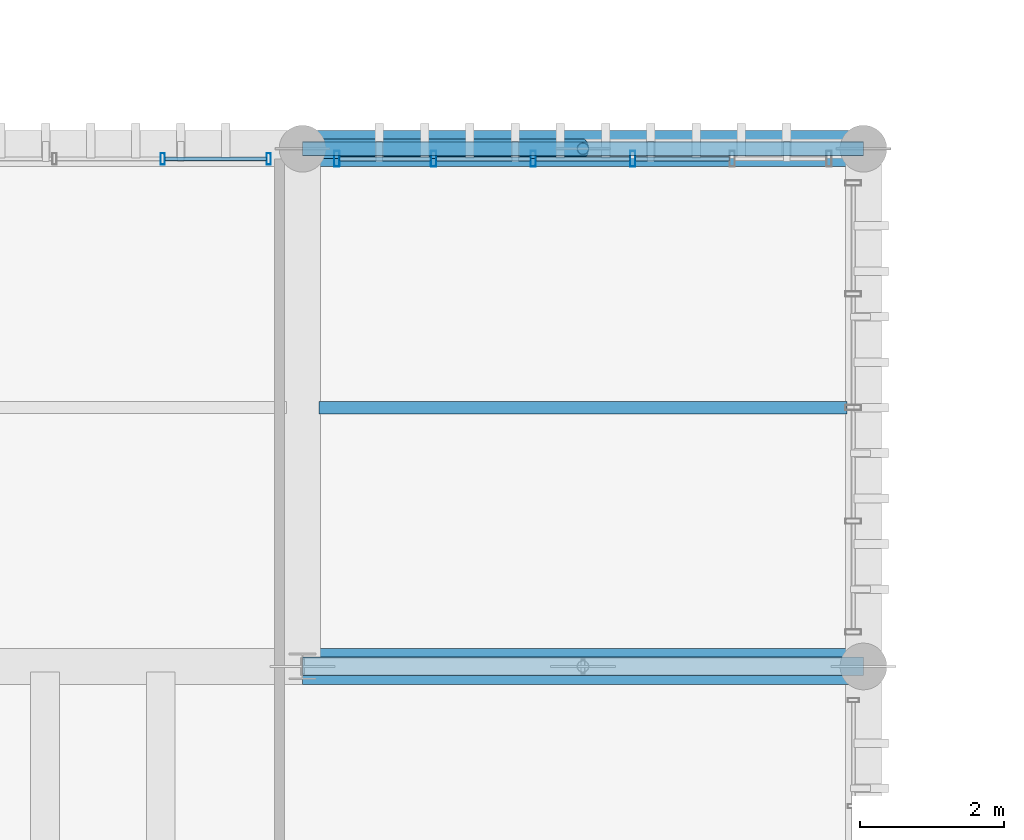
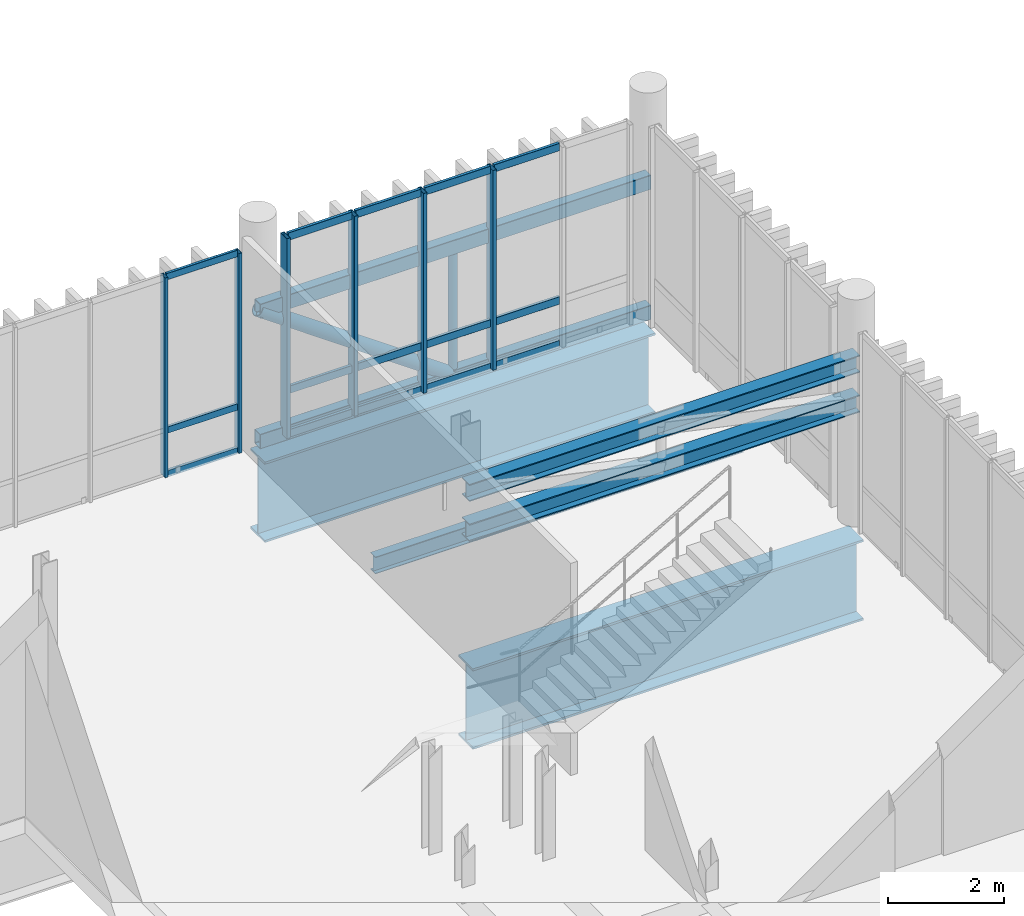
# One storey, part 41 of 86: 27 members, 3 beams, 2 elements without a shape of their own.
"""IFC4 building model written with IfcOpenShell, lengths in metres."""

import ifcopenshell
import ifcopenshell.guid

model = None  # the IFC model being written
_history = None  # IfcOwnerHistory: only IFC2X3 demands one
_inside = {}  # id of a spatial element -> (the spatial element, [elements in it])
_under = {}  # id of a project, library or spatial element -> (it, [spatial elements below it])
_declared = {}  # id of a project -> (the project, [libraries it declares])
_typed = {}  # id of a type object -> (the type object, [elements of that type])
_made_of = {}  # id of a material, layer set ... -> (it, [elements and type objects made of it])


def new_model(schema):
    """Start an empty IFC model of exactly this schema.

    Asked for "IFC4X3", IfcOpenShell would pick the latest addendum, in which some entities
    have other attributes; the version numbers below select the first issue.
    IFC2X3 requires an IfcOwnerHistory on every rooted entity: one is made here for all.
    """
    global model, _history
    if schema == "IFC4X3":
        model = ifcopenshell.file(schema_version=(4, 3, 0, 0))
    else:
        model = ifcopenshell.file(schema=schema)
    _inside.clear()
    _under.clear()
    _declared.clear()
    _typed.clear()
    _made_of.clear()
    _history = None
    if model.schema == "IFC2X3":
        org = make("IfcOrganization", Name="unknown")
        user = make(
            "IfcPersonAndOrganization",
            ThePerson=make("IfcPerson", FamilyName="unknown"),
            TheOrganization=org,
        )
        app = make(
            "IfcApplication",
            ApplicationDeveloper=org,
            Version="unknown",
            ApplicationFullName="unknown",
            ApplicationIdentifier="unknown",
        )
        _history = make(
            "IfcOwnerHistory",
            OwningUser=user,
            OwningApplication=app,
            ChangeAction="ADDED",
            CreationDate=0,
        )
    return model


def make(cls, **values):
    """One entity of the class cls with the attributes given. An attribute that is None is left unset."""
    return model.create_entity(
        cls, **{name: value for name, value in values.items() if value is not None}
    )


def rooted(cls, **values):
    """An entity with a GlobalId (a new one), such as an element, a storey or a relation."""
    return make(cls, GlobalId=ifcopenshell.guid.new(), OwnerHistory=_history, **values)


def si_unit(unit_type, name, prefix=None):
    """IfcSIUnit, for example si_unit("LENGTHUNIT", "METRE", prefix="MILLI")."""
    return make("IfcSIUnit", UnitType=unit_type, Prefix=prefix, Name=name)


def assignment(units):
    """IfcUnitAssignment: the units of a project."""
    return None if units is None else make("IfcUnitAssignment", Units=units)


def point(xyz):
    """IfcCartesianPoint."""
    return None if xyz is None else make("IfcCartesianPoint", Coordinates=xyz)


def direction(xyz):
    """IfcDirection."""
    return None if xyz is None else make("IfcDirection", DirectionRatios=xyz)


def frame(location, z_axis=None, x_axis=None):
    """IfcAxis2Placement3D, a coordinate frame: its origin and axes. An axis left out is left unset."""
    return make(
        "IfcAxis2Placement3D",
        Location=point(location),
        Axis=direction(z_axis),
        RefDirection=direction(x_axis),
    )


def frame_2d(location, x_axis=None):
    """IfcAxis2Placement2D, a coordinate frame in the plane: its origin and x axis."""
    return make(
        "IfcAxis2Placement2D", Location=point(location), RefDirection=direction(x_axis)
    )


def origin_with_axes():
    """The frame at (0, 0, 0) with the z axis (0, 0, 1) and the x axis (1, 0, 0) written out."""
    return frame((0.0, 0.0, 0.0), z_axis=(0.0, 0.0, 1.0), x_axis=(1.0, 0.0, 0.0))


def origin_2d_with_axis():
    """The frame at (0, 0) in the plane with the x axis (1, 0) written out."""
    return frame_2d((0.0, 0.0), x_axis=(1.0, 0.0))


def place(relative_to, where):
    """IfcLocalPlacement: puts the frame where relative to a parent placement (None: the world)."""
    return make(
        "IfcLocalPlacement", PlacementRelTo=relative_to, RelativePlacement=where
    )


def context(
    kind, dimensions, precision=None, world=None, true_north=None, identifier=None
):
    """IfcGeometricRepresentationContext, for example the 3D "Model" context."""
    return make(
        "IfcGeometricRepresentationContext",
        ContextIdentifier=identifier,
        ContextType=kind,
        CoordinateSpaceDimension=dimensions,
        Precision=precision,
        WorldCoordinateSystem=world,
        TrueNorth=true_north,
    )


def subcontext(parent, identifier, kind, view, scale=None):
    """IfcGeometricRepresentationSubContext, for example "Body" below "Model"."""
    return make(
        "IfcGeometricRepresentationSubContext",
        ContextIdentifier=identifier,
        ContextType=kind,
        ParentContext=parent,
        TargetScale=scale,
        TargetView=view,
    )


def project(units=None, contexts=None):
    """IfcProject with its units and contexts."""
    return rooted(
        "IfcProject",
        Name="project",
        RepresentationContexts=contexts,
        UnitsInContext=assignment(units),
    )


def spatial(cls, under=None, at=None, **own):
    """A site, building, storey or space (cls), placed at a placement, below another one or the project."""
    s = rooted(cls, ObjectPlacement=at, **own)
    if under is not None:
        _under.setdefault(under.id(), (under, []))[1].append(s)
    return s


def profile(cls, at=None, kind="AREA", **sizes):
    """A parametric profile (cls). Its sizes go by their IFC names, for example OverallWidth=200.0."""
    return make(cls, ProfileType=kind, Position=at, **sizes)


def hollow_rectangle(**sizes):
    """IfcRectangleHollowProfileDef."""
    return profile("IfcRectangleHollowProfileDef", **sizes)


def hollow_circle(**sizes):
    """IfcCircleHollowProfileDef."""
    return profile("IfcCircleHollowProfileDef", **sizes)


def i_section(**sizes):
    """IfcIShapeProfileDef."""
    return profile("IfcIShapeProfileDef", **sizes)


def extrude(swept, where, along, depth):
    """IfcExtrudedAreaSolid: the profile swept, set in the frame where, extruded along a direction by depth."""
    return make(
        "IfcExtrudedAreaSolid",
        SweptArea=swept,
        Position=where,
        ExtrudedDirection=direction(along),
        Depth=depth,
    )


def shape(context_of_items, identifier, shape_type, items):
    """IfcShapeRepresentation: the items that make up one representation, for example the "Body"."""
    return make(
        "IfcShapeRepresentation",
        ContextOfItems=context_of_items,
        RepresentationIdentifier=identifier,
        RepresentationType=shape_type,
        Items=items,
    )


def material(Name=None, Category=None):
    """IfcMaterial."""
    return make("IfcMaterial", Name=Name, Category=Category)


def material_profile(
    of_material, cross_section, Name=None, Category=None, Priority=None
):
    """IfcMaterialProfile: a cross section and its material."""
    return make(
        "IfcMaterialProfile",
        Name=Name,
        Material=of_material,
        Profile=cross_section,
        Priority=Priority,
        Category=Category,
    )


def profile_set(profiles, Name=None, composite=None):
    """IfcMaterialProfileSet."""
    return make(
        "IfcMaterialProfileSet",
        Name=Name,
        MaterialProfiles=profiles,
        CompositeProfile=composite,
    )


def made_of(thing, what):
    """Note that an element or type object is made of a material, layer set ...; save() writes the relation."""
    if what is not None:
        _made_of.setdefault(what.id(), (what, []))[1].append(thing)
    return thing


def type_object(cls, material=None, **own):
    """A type object (cls), such as IfcWallType, which elements share."""
    return made_of(rooted(cls, **own), material)


def element(
    cls,
    number,
    at=None,
    inside=None,
    cuts=None,
    type_object=None,
    material=None,
    context=None,
    identifier="Body",
    shape_type=None,
    held_by="IfcProductDefinitionShape",
    body=None,
    shapes=None,
    **own,
):
    """One element of the class cls, such as IfcWall. Its Tag is "e" and its number.

    at: its placement. inside: the storey or other place that contains it. cuts: it is an
    opening in that element (IfcRelVoidsElement). A single representation is given by context,
    identifier, shape_type and body (its items); several are given by shapes. held_by: the class
    of the entity that holds the representations. save() writes the other relations.
    """
    e = rooted(cls, Tag="e%d" % number, ObjectPlacement=at, **own)
    if body is not None:
        shapes = [shape(context, identifier, shape_type, body)]
    if shapes is not None:
        e.Representation = make(held_by, Representations=shapes)
    if inside is not None:
        _inside.setdefault(inside.id(), (inside, []))[1].append(e)
    if cuts is not None:
        rooted(
            "IfcRelVoidsElement", RelatingBuildingElement=cuts, RelatedOpeningElement=e
        )
    if type_object is not None:
        _typed.setdefault(type_object.id(), (type_object, []))[1].append(e)
    return made_of(e, material)


def aggregate(whole, parts):
    """IfcRelAggregates: a whole, such as a stair, and the parts it consists of."""
    return rooted("IfcRelAggregates", RelatingObject=whole, RelatedObjects=parts)


def save(model, path):
    """Write the relations noted so far, then the file.

    IfcRelAggregates (storeys below a building ...), IfcRelContainedInSpatialStructure (elements
    in a storey), IfcRelDefinesByType, IfcRelAssociatesMaterial and IfcRelDeclares: one each for
    every whole, place, type object, material and project.
    """
    for whole, parts in _under.values():
        aggregate(whole, parts)
    for where, things in _inside.values():
        rooted(
            "IfcRelContainedInSpatialStructure",
            RelatedElements=things,
            RelatingStructure=where,
        )
    for kind, things in _typed.values():
        rooted("IfcRelDefinesByType", RelatedObjects=things, RelatingType=kind)
    for what, things in _made_of.values():
        rooted("IfcRelAssociatesMaterial", RelatedObjects=things, RelatingMaterial=what)
    for by, libraries in _declared.values():
        rooted("IfcRelDeclares", RelatingContext=by, RelatedDefinitions=libraries)
    model.write(path)


model = new_model("IFC4")

# Units and contexts
model_context = context("Model", 3, precision=1e-05, world=origin_with_axes(), true_north=direction((0.0, 1.0)))
body_context = subcontext(model_context, "Body", "Model", "MODEL_VIEW")
ifc_project = project(units=[si_unit("LENGTHUNIT", "METRE"), si_unit("AREAUNIT", "SQUARE_METRE"), si_unit("VOLUMEUNIT", "CUBIC_METRE"), si_unit("PLANEANGLEUNIT", "RADIAN"), si_unit("MASSUNIT", "GRAM", prefix="KILO"), si_unit("THERMODYNAMICTEMPERATUREUNIT", "KELVIN")], contexts=[model_context])

# Site, building, storey
site_placement = place(None, origin_with_axes())
site = spatial("IfcSite", under=ifc_project, at=site_placement, CompositionType="ELEMENT")
building_placement = place(site_placement, origin_with_axes())
building = spatial("IfcBuilding", under=site, at=building_placement, Name="Montbau Bow Law Courts", CompositionType="ELEMENT")
storey_placement = place(building_placement, frame((0.0, 0.0, 29.7), z_axis=(0.0, 0.0, 1.0), x_axis=(1.0, 0.0, 0.0)))
storey = spatial("IfcBuildingStorey", under=building, at=storey_placement, Name="L06", CompositionType="ELEMENT", Elevation=29.7)

# Beams
ifc_material_1 = material(Name="Steel CSA G40.21 Grade 350W (350 MPa)", Category="steel")
ifc_material_profile_1 = material_profile(ifc_material_1, i_section(OverallWidth=0.172, OverallDepth=0.358, WebThickness=0.0079, FlangeThickness=0.0131, at=origin_2d_with_axis()), Name="W360X57", Category="Main", Priority=0)
ifc_profile_set_1 = profile_set([ifc_material_profile_1], Name="Steel CSA G40.21 Grade 350W (350 MPa)")
beam_type_1 = type_object("IfcBeamType", Name="B-JST-03", PredefinedType="JOIST", material=ifc_profile_set_1)
beam_placement = place(None, frame((97.426, 58.2, 29.181), z_axis=(1.0, 0.0, 0.0), x_axis=(0.0, 1.0, 0.0)))
element("IfcBeam", 1, at=beam_placement, inside=storey, type_object=beam_type_1, Name="JST-L06-S0526:jst2_0526", PredefinedType="JOIST", context=body_context, shape_type="SweptSolid", body=[
    extrude(i_section(OverallWidth=0.172, OverallDepth=0.358, WebThickness=0.0079, FlangeThickness=0.0131, at=origin_2d_with_axis()), origin_with_axes(), (0.0, 0.0, 1.0), 7.348),
])
ifc_material_2 = material(Name="Steel CSA G40.21 Grade 350WT (350 MPa)", Category="steel")
ifc_material_profile_2 = material_profile(ifc_material_2, i_section(OverallWidth=0.5, OverallDepth=1.7, WebThickness=0.02, FlangeThickness=0.045, at=origin_2d_with_axis()), Name="WWF1700X480", Category="Main", Priority=0)
ifc_profile_set_2 = profile_set([ifc_material_profile_2], Name="Steel CSA G40.21 Grade 350WT (350 MPa)")
beam_type_2 = type_object("IfcBeamType", Name="B-TRG-02", PredefinedType="USERDEFINED", material=ifc_profile_set_2)
for number, where, z_axis, x_axis, name in (
    (2, (97.2, 54.6, 28.51), (1.0, 0.0, 0.0), (0.0, 1.0, 0.0), "TRG-L06-S0064:bm2_0067"),
    (3, (97.2, 61.8, 28.51), (1.0, 0.0, 0.0), (0.0, 1.0, 0.0), "TRG-L06-S0066:bm2_0069"),
):
    element("IfcBeam", number, at=place(None, frame(where, z_axis=z_axis, x_axis=x_axis)), inside=storey, type_object=beam_type_2, Name=name, ObjectType="GIRDER", PredefinedType="USERDEFINED", context=body_context, shape_type="SweptSolid", body=[
        extrude(i_section(OverallWidth=0.5, OverallDepth=1.7, WebThickness=0.02, FlangeThickness=0.045, at=origin_2d_with_axis()), origin_with_axes(), (0.0, 0.0, 1.0), 7.8),
    ])

# Members
ifc_material_profile_3 = material_profile(ifc_material_1, hollow_circle(Radius=0.1365, WallThickness=0.0127, at=origin_2d_with_axis()), Name="HSS273X13", Category="Main", Priority=0)
ifc_profile_set_3 = profile_set([ifc_material_profile_3], Name="Steel CSA G40.21 Grade 350W (350 MPa)")
member_type_1 = type_object("IfcMemberType", Name="M-BRC-03", PredefinedType="BRACE", material=ifc_profile_set_3)
member_1_placement = place(None, frame((97.2, 61.8, 32.45), z_axis=(0.817258134, 0.0, -0.576271761), x_axis=(0.0, 1.0, 0.0)))
element("IfcMember", 4, at=member_1_placement, inside=storey, type_object=member_type_1, Name="Diagonal brace BRC-L06-017", PredefinedType="BRACE", context=body_context, shape_type="SweptSolid", body=[
    extrude(hollow_circle(Radius=0.1365, WallThickness=0.0127, at=origin_2d_with_axis()), origin_with_axes(), (0.0, 0.0, 1.0), 4.772054),
])
ifc_material_profile_4 = material_profile(ifc_material_2, i_section(OverallWidth=0.257, OverallDepth=0.363, WebThickness=0.013, FlangeThickness=0.0217, at=origin_2d_with_axis()), Name="W360X122", Category="Main", Priority=0)
ifc_profile_set_4 = profile_set([ifc_material_profile_4], Name="Steel CSA G40.21 Grade 350WT (350 MPa)")
member_type_2 = type_object("IfcMemberType", Name="M-CHD-01", PredefinedType="CHORD", material=ifc_profile_set_4)
for number, where, z_axis, x_axis, name in (
    (5, (97.2, 54.6, 32.16), (1.0, 0.0, 0.0), (0.0, 1.0, 0.0), "CHB-L06-08:chb_0008"),
    (6, (97.2, 54.6, 33.0), (1.0, 0.0, 0.0), (0.0, 1.0, 0.0), "CHD-L06-08:mbr_0029"),
):
    element("IfcMember", number, at=place(None, frame(where, z_axis=z_axis, x_axis=x_axis)), inside=storey, type_object=member_type_2, Name=name, PredefinedType="CHORD", context=body_context, shape_type="SweptSolid", body=[
        extrude(i_section(OverallWidth=0.257, OverallDepth=0.363, WebThickness=0.013, FlangeThickness=0.0217, at=origin_2d_with_axis()), origin_with_axes(), (0.0, 0.0, 1.0), 7.8),
    ])
ifc_material_profile_5 = material_profile(ifc_material_2, hollow_rectangle(XDim=0.203, YDim=0.305, WallThickness=0.0127, InnerFilletRadius=0.0254, OuterFilletRadius=0.0127, at=origin_2d_with_axis()), Name="HSS305X203X13", Category="Main", Priority=0)
ifc_profile_set_5 = profile_set([ifc_material_profile_5], Name="Steel CSA G40.21 Grade 350WT (350 MPa)")
member_type_3 = type_object("IfcMemberType", Name="M-CHD-02", PredefinedType="CHORD", material=ifc_profile_set_5)
for number, where, z_axis, x_axis, name in (
    (7, (97.2, 61.8, 29.7), (1.0, 0.0, 0.0), (0.0, 1.0, 0.0), "CHB-L06-09:chb_0009"),
    (8, (97.2, 61.8, 32.45), (1.0, 0.0, 0.0), (0.0, 1.0, 0.0), "CHD-L06-09:mbr_0033"),
):
    element("IfcMember", number, at=place(None, frame(where, z_axis=z_axis, x_axis=x_axis)), inside=storey, type_object=member_type_3, Name=name, PredefinedType="CHORD", context=body_context, shape_type="SweptSolid", body=[
        extrude(hollow_rectangle(XDim=0.203, YDim=0.305, WallThickness=0.0127, InnerFilletRadius=0.0254, OuterFilletRadius=0.0127, at=origin_2d_with_axis()), origin_with_axes(), (0.0, 0.0, 1.0), 7.8),
    ])

# Curtain wall, members
ifc_material_3 = material(Name="Thermally Broken Extruded Aluminium AA 6063-T6", Category="aluminium")
curtain_wall_type = type_object("IfcCurtainWallType", Name="CW-CRM-02", PredefinedType="NOTDEFINED", material=ifc_material_3)
curtain_wall_1_placement = place(None, frame((97.64, 61.66, 29.7), z_axis=(0.0, 0.0, 1.0), x_axis=(1.0, 0.0, 0.0)))
curtain_wall_1 = element("IfcCurtainWall", 9, at=curtain_wall_1_placement, inside=storey, type_object=curtain_wall_type, Name="CW-L06-234:cw_0234", PredefinedType="NOTDEFINED")
ifc_material_profile_6 = material_profile(ifc_material_3, hollow_rectangle(XDim=0.075, YDim=0.22, WallThickness=0.005, InnerFilletRadius=0.01, OuterFilletRadius=0.005, at=origin_2d_with_axis()), Name="CWM-220X75", Category="Main", Priority=0)
ifc_profile_set_6 = profile_set([ifc_material_profile_6], Name="Thermally Broken Extruded Aluminium AA 6063-T6")
member_type_4 = type_object("IfcMemberType", Name="M-MUL-01", PredefinedType="MULLION", material=ifc_profile_set_6)
member_2_placement = place(None, frame((97.677, 61.66, 29.7), z_axis=(0.0, 0.0, 1.0), x_axis=(1.0, 0.0, 0.0)))
member_2 = element("IfcMember", 10, at=member_2_placement, type_object=member_type_4, Name="CW-L06-234-M01:cw_0234_M01", PredefinedType="MULLION", context=body_context, shape_type="SweptSolid", body=[
    extrude(hollow_rectangle(XDim=0.075, YDim=0.22, WallThickness=0.005, InnerFilletRadius=0.01, OuterFilletRadius=0.005, at=origin_2d_with_axis()), origin_with_axes(), (0.0, 0.0, 1.0), 4.22),
])
member_3_placement = place(None, frame((99.024, 61.66, 29.7), z_axis=(0.0, 0.0, 1.0), x_axis=(1.0, 0.0, 0.0)))
member_3 = element("IfcMember", 11, at=member_3_placement, type_object=member_type_4, Name="CW-L06-234-M02:cw_0234_M02", PredefinedType="MULLION", context=body_context, shape_type="SweptSolid", body=[
    extrude(hollow_rectangle(XDim=0.075, YDim=0.22, WallThickness=0.005, InnerFilletRadius=0.01, OuterFilletRadius=0.005, at=origin_2d_with_axis()), origin_with_axes(), (0.0, 0.0, 1.0), 4.22),
])
member_4_placement = place(None, frame((100.408, 61.66, 29.7), z_axis=(0.0, 0.0, 1.0), x_axis=(1.0, 0.0, 0.0)))
member_4 = element("IfcMember", 12, at=member_4_placement, type_object=member_type_4, Name="CW-L06-234-M03:cw_0234_M03", PredefinedType="MULLION", context=body_context, shape_type="SweptSolid", body=[
    extrude(hollow_rectangle(XDim=0.075, YDim=0.22, WallThickness=0.005, InnerFilletRadius=0.01, OuterFilletRadius=0.005, at=origin_2d_with_axis()), origin_with_axes(), (0.0, 0.0, 1.0), 4.22),
])
member_5_placement = place(None, frame((101.792, 61.66, 29.7), z_axis=(0.0, 0.0, 1.0), x_axis=(1.0, 0.0, 0.0)))
member_5 = element("IfcMember", 13, at=member_5_placement, type_object=member_type_4, Name="CW-L06-234-M04:cw_0234_M04", PredefinedType="MULLION", context=body_context, shape_type="SweptSolid", body=[
    extrude(hollow_rectangle(XDim=0.075, YDim=0.22, WallThickness=0.005, InnerFilletRadius=0.01, OuterFilletRadius=0.005, at=origin_2d_with_axis()), origin_with_axes(), (0.0, 0.0, 1.0), 4.22),
])

curtain_wall_2_placement = place(None, frame((89.24, 61.66, 29.7), z_axis=(0.0, 0.0, 1.0), x_axis=(1.0, 0.0, 0.0)))
curtain_wall_2 = element("IfcCurtainWall", 14, at=curtain_wall_2_placement, inside=storey, type_object=curtain_wall_type, Name="CW-L06-233:cw_0233", PredefinedType="NOTDEFINED")
ifc_material_profile_7 = material_profile(ifc_material_3, hollow_rectangle(XDim=0.06, YDim=0.16, WallThickness=0.004, InnerFilletRadius=0.008, OuterFilletRadius=0.004, at=origin_2d_with_axis()), Name="CWM-160X60", Category="Main", Priority=0)
ifc_profile_set_7 = profile_set([ifc_material_profile_7], Name="Thermally Broken Extruded Aluminium AA 6063-T6")
member_type_5 = type_object("IfcMemberType", Name="M-MUL-03", PredefinedType="MULLION", material=ifc_profile_set_7)
member_6_placement = place(None, frame((95.256, 61.66, 29.7), z_axis=(0.0, 0.0, 1.0), x_axis=(1.0, 0.0, 0.0)))
member_6 = element("IfcMember", 15, at=member_6_placement, type_object=member_type_5, Name="CW-L06-233-M05:cw_0233_M05", PredefinedType="MULLION", context=body_context, shape_type="SweptSolid", body=[
    extrude(hollow_rectangle(XDim=0.06, YDim=0.16, WallThickness=0.004, InnerFilletRadius=0.008, OuterFilletRadius=0.004, at=origin_2d_with_axis()), origin_with_axes(), (0.0, 0.0, 1.0), 4.22),
])
member_7_placement = place(None, frame((96.73, 61.66, 29.7), z_axis=(0.0, 0.0, 1.0), x_axis=(1.0, 0.0, 0.0)))
member_7 = element("IfcMember", 16, at=member_7_placement, type_object=member_type_5, Name="CW-L06-233-M06:cw_0233_M06", PredefinedType="MULLION", context=body_context, shape_type="SweptSolid", body=[
    extrude(hollow_rectangle(XDim=0.06, YDim=0.16, WallThickness=0.004, InnerFilletRadius=0.008, OuterFilletRadius=0.004, at=origin_2d_with_axis()), origin_with_axes(), (0.0, 0.0, 1.0), 4.22),
])

# Member
ifc_material_profile_8 = material_profile(ifc_material_1, hollow_circle(Radius=0.084, WallThickness=0.0095, at=origin_2d_with_axis()), Name="HSS168X9.5", Category="Main", Priority=0)
ifc_profile_set_8 = profile_set([ifc_material_profile_8], Name="Steel CSA G40.21 Grade 350W (350 MPa)")
member_type_6 = type_object("IfcMemberType", Name="M-STR-01", PredefinedType="STRUT", material=ifc_profile_set_8)
member_8_placement = place(None, frame((101.1, 61.8, 29.7), z_axis=(0.0, 0.0, 1.0), x_axis=(1.0, 0.0, 0.0)))
element("IfcMember", 17, at=member_8_placement, inside=storey, type_object=member_type_6, Name="STR-L06-09:mbr_0036", PredefinedType="STRUT", context=body_context, shape_type="SweptSolid", body=[
    extrude(hollow_circle(Radius=0.084, WallThickness=0.0095, at=origin_2d_with_axis()), origin_with_axes(), (0.0, 0.0, 1.0), 2.75),
])

ifc_material_profile_9 = material_profile(ifc_material_3, hollow_rectangle(XDim=0.06, YDim=0.16, WallThickness=0.004, InnerFilletRadius=0.008, OuterFilletRadius=0.004, at=origin_2d_with_axis()), Name="CWT-160X60", Category="Main", Priority=0)
ifc_profile_set_9 = profile_set([ifc_material_profile_9], Name="Thermally Broken Extruded Aluminium AA 6063-T6")
member_type_7 = type_object("IfcMemberType", Name="M-TRN-01", PredefinedType="USERDEFINED", material=ifc_profile_set_9)
member_9_placement = place(None, frame((97.716, 61.66, 29.73), z_axis=(1.0, 0.0, 0.0), x_axis=(0.0, 1.0, 0.0)))
member_9 = element("IfcMember", 18, at=member_9_placement, type_object=member_type_7, Name="CW-L06-234-T01-1:cw_0234_T01_1", ObjectType="TRANSOM", PredefinedType="USERDEFINED", context=body_context, shape_type="SweptSolid", body=[
    extrude(hollow_rectangle(XDim=0.06, YDim=0.16, WallThickness=0.004, InnerFilletRadius=0.008, OuterFilletRadius=0.004, at=origin_2d_with_axis()), origin_with_axes(), (0.0, 0.0, 1.0), 1.268),
])

member_10_placement = place(None, frame((97.716, 61.66, 30.65), z_axis=(1.0, 0.0, 0.0), x_axis=(0.0, 1.0, 0.0)))
member_10 = element("IfcMember", 19, at=member_10_placement, type_object=member_type_7, Name="CW-L06-234-T01-2:cw_0234_T01_2", ObjectType="TRANSOM", PredefinedType="USERDEFINED", context=body_context, shape_type="SweptSolid", body=[
    extrude(hollow_rectangle(XDim=0.06, YDim=0.16, WallThickness=0.004, InnerFilletRadius=0.008, OuterFilletRadius=0.004, at=origin_2d_with_axis()), origin_with_axes(), (0.0, 0.0, 1.0), 1.268),
])

member_11_placement = place(None, frame((97.716, 61.66, 33.89), z_axis=(1.0, 0.0, 0.0), x_axis=(0.0, 1.0, 0.0)))
member_11 = element("IfcMember", 20, at=member_11_placement, type_object=member_type_7, Name="CW-L06-234-T01-3:cw_0234_T01_3", ObjectType="TRANSOM", PredefinedType="USERDEFINED", context=body_context, shape_type="SweptSolid", body=[
    extrude(hollow_rectangle(XDim=0.06, YDim=0.16, WallThickness=0.004, InnerFilletRadius=0.008, OuterFilletRadius=0.004, at=origin_2d_with_axis()), origin_with_axes(), (0.0, 0.0, 1.0), 1.268),
])

member_12_placement = place(None, frame((99.063, 61.66, 29.73), z_axis=(1.0, 0.0, 0.0), x_axis=(0.0, 1.0, 0.0)))
member_12 = element("IfcMember", 21, at=member_12_placement, type_object=member_type_7, Name="CW-L06-234-T02-1:cw_0234_T02_1", ObjectType="TRANSOM", PredefinedType="USERDEFINED", context=body_context, shape_type="SweptSolid", body=[
    extrude(hollow_rectangle(XDim=0.06, YDim=0.16, WallThickness=0.004, InnerFilletRadius=0.008, OuterFilletRadius=0.004, at=origin_2d_with_axis()), origin_with_axes(), (0.0, 0.0, 1.0), 1.305),
])

member_13_placement = place(None, frame((99.063, 61.66, 30.65), z_axis=(1.0, 0.0, 0.0), x_axis=(0.0, 1.0, 0.0)))
member_13 = element("IfcMember", 22, at=member_13_placement, type_object=member_type_7, Name="CW-L06-234-T02-2:cw_0234_T02_2", ObjectType="TRANSOM", PredefinedType="USERDEFINED", context=body_context, shape_type="SweptSolid", body=[
    extrude(hollow_rectangle(XDim=0.06, YDim=0.16, WallThickness=0.004, InnerFilletRadius=0.008, OuterFilletRadius=0.004, at=origin_2d_with_axis()), origin_with_axes(), (0.0, 0.0, 1.0), 1.305),
])

member_14_placement = place(None, frame((99.063, 61.66, 33.89), z_axis=(1.0, 0.0, 0.0), x_axis=(0.0, 1.0, 0.0)))
member_14 = element("IfcMember", 23, at=member_14_placement, type_object=member_type_7, Name="CW-L06-234-T02-3:cw_0234_T02_3", ObjectType="TRANSOM", PredefinedType="USERDEFINED", context=body_context, shape_type="SweptSolid", body=[
    extrude(hollow_rectangle(XDim=0.06, YDim=0.16, WallThickness=0.004, InnerFilletRadius=0.008, OuterFilletRadius=0.004, at=origin_2d_with_axis()), origin_with_axes(), (0.0, 0.0, 1.0), 1.305),
])

member_15_placement = place(None, frame((100.447, 61.66, 29.73), z_axis=(1.0, 0.0, 0.0), x_axis=(0.0, 1.0, 0.0)))
member_15 = element("IfcMember", 24, at=member_15_placement, type_object=member_type_7, Name="CW-L06-234-T03-1:cw_0234_T03_1", ObjectType="TRANSOM", PredefinedType="USERDEFINED", context=body_context, shape_type="SweptSolid", body=[
    extrude(hollow_rectangle(XDim=0.06, YDim=0.16, WallThickness=0.004, InnerFilletRadius=0.008, OuterFilletRadius=0.004, at=origin_2d_with_axis()), origin_with_axes(), (0.0, 0.0, 1.0), 1.306),
])

member_16_placement = place(None, frame((100.447, 61.66, 30.65), z_axis=(1.0, 0.0, 0.0), x_axis=(0.0, 1.0, 0.0)))
member_16 = element("IfcMember", 25, at=member_16_placement, type_object=member_type_7, Name="CW-L06-234-T03-2:cw_0234_T03_2", ObjectType="TRANSOM", PredefinedType="USERDEFINED", context=body_context, shape_type="SweptSolid", body=[
    extrude(hollow_rectangle(XDim=0.06, YDim=0.16, WallThickness=0.004, InnerFilletRadius=0.008, OuterFilletRadius=0.004, at=origin_2d_with_axis()), origin_with_axes(), (0.0, 0.0, 1.0), 1.306),
])

member_17_placement = place(None, frame((100.447, 61.66, 33.89), z_axis=(1.0, 0.0, 0.0), x_axis=(0.0, 1.0, 0.0)))
member_17 = element("IfcMember", 26, at=member_17_placement, type_object=member_type_7, Name="CW-L06-234-T03-3:cw_0234_T03_3", ObjectType="TRANSOM", PredefinedType="USERDEFINED", context=body_context, shape_type="SweptSolid", body=[
    extrude(hollow_rectangle(XDim=0.06, YDim=0.16, WallThickness=0.004, InnerFilletRadius=0.008, OuterFilletRadius=0.004, at=origin_2d_with_axis()), origin_with_axes(), (0.0, 0.0, 1.0), 1.306),
])

member_18_placement = place(None, frame((101.831, 61.66, 29.73), z_axis=(1.0, 0.0, 0.0), x_axis=(0.0, 1.0, 0.0)))
member_18 = element("IfcMember", 27, at=member_18_placement, type_object=member_type_7, Name="CW-L06-234-T04-1:cw_0234_T04_1", ObjectType="TRANSOM", PredefinedType="USERDEFINED", context=body_context, shape_type="SweptSolid", body=[
    extrude(hollow_rectangle(XDim=0.06, YDim=0.16, WallThickness=0.004, InnerFilletRadius=0.008, OuterFilletRadius=0.004, at=origin_2d_with_axis()), origin_with_axes(), (0.0, 0.0, 1.0), 1.306),
])

member_19_placement = place(None, frame((101.831, 61.66, 30.65), z_axis=(1.0, 0.0, 0.0), x_axis=(0.0, 1.0, 0.0)))
member_19 = element("IfcMember", 28, at=member_19_placement, type_object=member_type_7, Name="CW-L06-234-T04-2:cw_0234_T04_2", ObjectType="TRANSOM", PredefinedType="USERDEFINED", context=body_context, shape_type="SweptSolid", body=[
    extrude(hollow_rectangle(XDim=0.06, YDim=0.16, WallThickness=0.004, InnerFilletRadius=0.008, OuterFilletRadius=0.004, at=origin_2d_with_axis()), origin_with_axes(), (0.0, 0.0, 1.0), 1.306),
])

member_20_placement = place(None, frame((101.831, 61.66, 33.89), z_axis=(1.0, 0.0, 0.0), x_axis=(0.0, 1.0, 0.0)))
member_20 = element("IfcMember", 29, at=member_20_placement, type_object=member_type_7, Name="CW-L06-234-T04-3:cw_0234_T04_3", ObjectType="TRANSOM", PredefinedType="USERDEFINED", context=body_context, shape_type="SweptSolid", body=[
    extrude(hollow_rectangle(XDim=0.06, YDim=0.16, WallThickness=0.004, InnerFilletRadius=0.008, OuterFilletRadius=0.004, at=origin_2d_with_axis()), origin_with_axes(), (0.0, 0.0, 1.0), 1.306),
])

aggregate(curtain_wall_1, [member_2, member_3, member_4, member_5, member_9, member_10, member_11, member_12, member_13, member_14, member_15, member_16, member_17, member_18, member_19, member_20])

ifc_material_profile_10 = material_profile(ifc_material_3, hollow_rectangle(XDim=0.055, YDim=0.14, WallThickness=0.004, InnerFilletRadius=0.008, OuterFilletRadius=0.004, at=origin_2d_with_axis()), Name="CWT-140X55", Category="Main", Priority=0)
ifc_profile_set_10 = profile_set([ifc_material_profile_10], Name="Thermally Broken Extruded Aluminium AA 6063-T6")
member_type_8 = type_object("IfcMemberType", Name="M-TRN-02", PredefinedType="USERDEFINED", material=ifc_profile_set_10)
member_21_placement = place(None, frame((95.288, 61.66, 29.727), z_axis=(1.0, 0.0, 0.0), x_axis=(0.0, 1.0, 0.0)))
member_21 = element("IfcMember", 30, at=member_21_placement, type_object=member_type_8, Name="CW-L06-233-T05-1:cw_0233_T05_1", ObjectType="TRANSOM", PredefinedType="USERDEFINED", context=body_context, shape_type="SweptSolid", body=[
    extrude(hollow_rectangle(XDim=0.055, YDim=0.14, WallThickness=0.004, InnerFilletRadius=0.008, OuterFilletRadius=0.004, at=origin_2d_with_axis()), origin_with_axes(), (0.0, 0.0, 1.0), 1.41),
])

member_22_placement = place(None, frame((95.288, 61.66, 30.65), z_axis=(1.0, 0.0, 0.0), x_axis=(0.0, 1.0, 0.0)))
member_22 = element("IfcMember", 31, at=member_22_placement, type_object=member_type_8, Name="CW-L06-233-T05-2:cw_0233_T05_2", ObjectType="TRANSOM", PredefinedType="USERDEFINED", context=body_context, shape_type="SweptSolid", body=[
    extrude(hollow_rectangle(XDim=0.055, YDim=0.14, WallThickness=0.004, InnerFilletRadius=0.008, OuterFilletRadius=0.004, at=origin_2d_with_axis()), origin_with_axes(), (0.0, 0.0, 1.0), 1.41),
])

member_23_placement = place(None, frame((95.288, 61.66, 33.892), z_axis=(1.0, 0.0, 0.0), x_axis=(0.0, 1.0, 0.0)))
member_23 = element("IfcMember", 32, at=member_23_placement, type_object=member_type_8, Name="CW-L06-233-T05-3:cw_0233_T05_3", ObjectType="TRANSOM", PredefinedType="USERDEFINED", context=body_context, shape_type="SweptSolid", body=[
    extrude(hollow_rectangle(XDim=0.055, YDim=0.14, WallThickness=0.004, InnerFilletRadius=0.008, OuterFilletRadius=0.004, at=origin_2d_with_axis()), origin_with_axes(), (0.0, 0.0, 1.0), 1.41),
])

aggregate(curtain_wall_2, [member_6, member_7, member_21, member_22, member_23])

save(model, "model.ifc")
